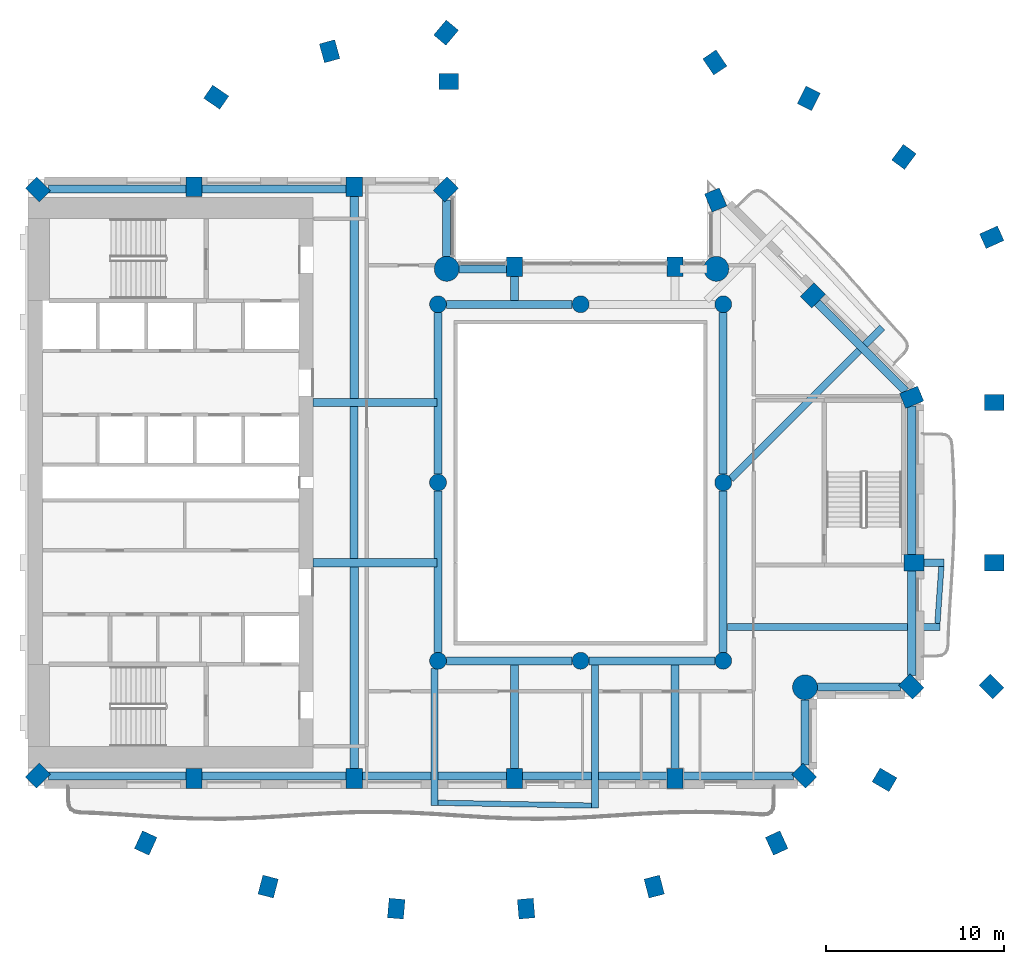
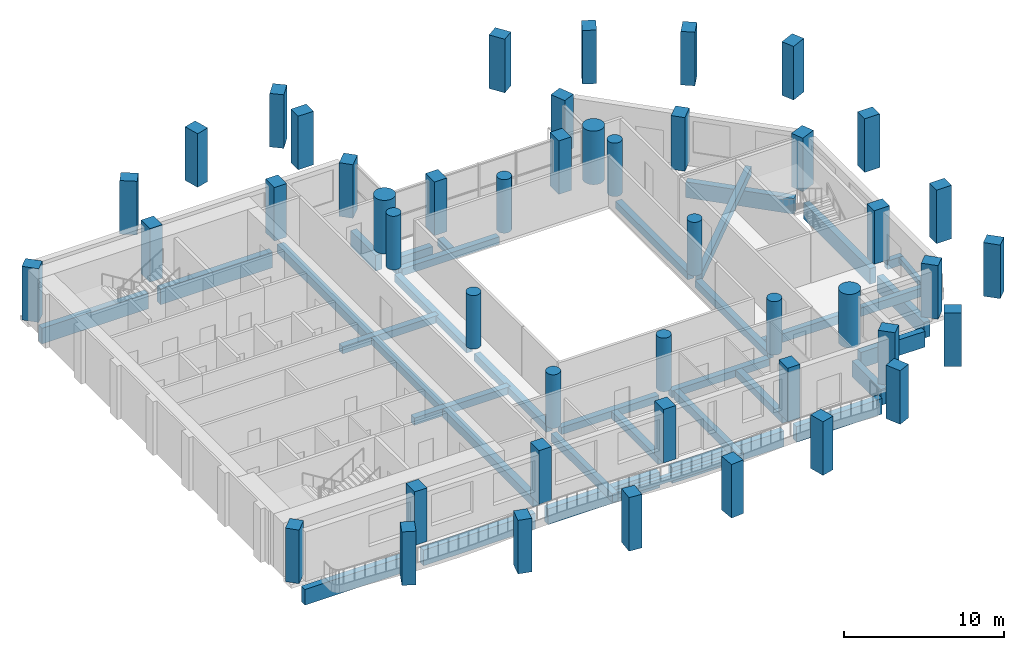
# One storey, part 1 of 13: 46 columns, 36 beams.
"""IFC4 building model written with IfcOpenShell, lengths in metres."""

from ifc_helpers import new_model, si_unit, direction, frame, origin, origin_2d, place, context, subcontext, project, spatial, rectangle, circle, extrude, material, material_profile, profile_set, type_object, element, save


model = new_model("IFC4")

# Units and contexts
model_context = context("Model", 3, precision=1e-05, world=origin(), true_north=direction((0.0, 1.0)))
body_context = subcontext(model_context, "Body", "Model", "MODEL_VIEW")
ifc_project = project(units=[si_unit("LENGTHUNIT", "METRE"), si_unit("AREAUNIT", "SQUARE_METRE"), si_unit("VOLUMEUNIT", "CUBIC_METRE"), si_unit("PLANEANGLEUNIT", "RADIAN"), si_unit("MASSUNIT", "GRAM", prefix="KILO")], contexts=[model_context])

# Site, building, storey
site_placement = place(None, origin())
site = spatial("IfcSite", under=ifc_project, at=site_placement, CompositionType="ELEMENT")
building_placement = place(site_placement, origin())
building = spatial("IfcBuilding", under=site, at=building_placement, Name="Cypress Arch Tower", CompositionType="ELEMENT")
storey_placement = place(building_placement, frame((0.0, 0.0, 209.699951171875)))
storey = spatial("IfcBuildingStorey", under=building, at=storey_placement, Name="L46", CompositionType="ELEMENT", Elevation=209.699951171875)

# Columns
ifc_material_1 = material(Name="Concrete C70/85", Category="concrete")
ifc_material_profile_1 = material_profile(ifc_material_1, rectangle(XDim=0.89990234375, YDim=1.10009765625, at=origin_2d()), Name="RC 900x1100")
ifc_profile_set_1 = profile_set([ifc_material_profile_1], Name="Concrete C70/85")
column_type_1 = type_object("IfcColumnType", Name="Column RC 900x1100 Concrete C70/85", PredefinedType="COLUMN", material=ifc_profile_set_1)
for number, where, z_axis, x_axis, name in (
    (1, (-29.44287109375, 16.44287109375, 0.0), (0.0, 0.0, 1.0), (-0.707106781187, -0.707106781187, 0.0), "Column L46 CB00"),
    (2, (-29.44287109375, -16.44287109375, 0.0), (0.0, 0.0, 1.0), (0.707106781187, -0.707106781187, 0.0), "Column L46 CB01"),
    (3, (-20.699951171875, -16.60009765625, 0.0), (0.0, 0.0, 1.0), (1.0, 0.0, 0.0), "Column L46 CB02"),
    (4, (-11.699951171875, -16.60009765625, 0.0), (0.0, 0.0, 1.0), (1.0, 0.0, 0.0), "Column L46 CB03"),
    (5, (-2.699951171875, -16.60009765625, 0.0), (0.0, 0.0, 1.0), (1.0, 0.0, 0.0), "Column L46 CB04"),
    (6, (6.300048828125, -16.60009765625, 0.0), (0.0, 0.0, 1.0), (1.0, 0.0, 0.0), "Column L46 CB05"),
    (7, (13.54296875, -16.44287109375, 0.0), (0.0, 0.0, 1.0), (0.707106781187, 0.707106781187, 0.0), "Column L46 CB06"),
    (8, (19.54296875, -11.44287109375, 0.0), (0.0, 0.0, 1.0), (0.707106781187, 0.707106781187, 0.0), "Column L46 CB08"),
    (9, (19.699951171875, -4.5, 0.0), (0.0, 0.0, 1.0), (0.0, 1.0, 0.0), "Column L46 CB09"),
    (10, (19.569580078125, 4.7802734375, 0.0), (0.0, 0.0, 1.0), (-0.382683496864, 0.923879505795, 0.0), "Column L46 CB10"),
    (11, (14.029296875, 10.505126953125, 0.0), (0.0, 0.0, 1.0), (-0.707106781187, 0.707106781187, 0.0), "Column L46 CB11"),
    (12, (8.576171875, 15.850341796875, 0.0), (0.0, 0.0, 1.0), (-0.923879672772, -0.382683093746, 0.0), "Column L46 CB12"),
    (13, (6.300048828125, 12.10009765625, 0.0), (0.0, 0.0, 1.0), (-1.0, 0.0, 0.0), "Column L46 CB14"),
    (14, (-2.699951171875, 12.10009765625, 0.0), (0.0, 0.0, 1.0), (-1.0, 0.0, 0.0), "Column L46 CB15"),
    (15, (-6.55712890625, 16.44287109375, 0.0), (0.0, 0.0, 1.0), (-0.707106781187, 0.707106781187, 0.0), "Column L46 CB17"),
    (16, (-11.699951171875, 16.60009765625, 0.0), (0.0, 0.0, 1.0), (-1.0, 0.0, 0.0), "Column L46 CB18"),
    (17, (-20.699951171875, 16.60009765625, 0.0), (0.0, 0.0, 1.0), (-1.0, 0.0, 0.0), "Column L46 CB19"),
    (18, (8.53076171875, 23.564697265625, 0.0), (0.0, 0.0, 1.0), (-0.828469606019, -0.560034027451, 0.0), "Column L46 CQ00"),
    (19, (-6.39990234375, 22.5, 0.0), (0.0, 0.0, 1.0), (0.0, 1.0, 0.0), "Column L46 CQ01"),
    (20, (-6.54833984375, 25.236572265625, 0.0), (0.0, 0.0, 1.0), (-0.766063514674, 0.642764880407, 0.0), "Column L46 CQ02"),
    (21, (-13.081298828125, 24.193359375, 0.0), (0.0, 0.0, 1.0), (-0.96345574646, -0.267867550506, 0.0), "Column L46 CQ03"),
    (22, (-19.44189453125, 21.616943359375, 0.0), (0.0, 0.0, 1.0), (-0.565892599589, -0.824478966215, 0.0), "Column L46 CQ04"),
    (23, (-23.398193359375, -20.221435546875, 0.0), (0.0, 0.0, 1.0), (0.909932071487, -0.414757308891, 0.0), "Column L46 CQ05"),
    (24, (-16.529052734375, -22.666259765625, 0.0), (0.0, 0.0, 1.0), (0.96735573689, -0.2534223319, 0.0), "Column L46 CQ06"),
    (25, (-9.3427734375, -23.903564453125, 0.0), (0.0, 0.0, 1.0), (0.996368206733, -0.085149260784, 0.0), "Column L46 CQ07"),
    (26, (-2.057373046875, -23.903564453125, 0.0), (0.0, 0.0, 1.0), (0.996368206733, 0.085149260784, 0.0), "Column L46 CQ08"),
    (27, (5.12890625, -22.666259765625, 0.0), (0.0, 0.0, 1.0), (0.96735573689, 0.2534223319, 0.0), "Column L46 CQ09"),
    (28, (11.998291015625, -20.221435546875, 0.0), (0.0, 0.0, 1.0), (0.909932071487, 0.414757308891, 0.0), "Column L46 CQ10"),
    (29, (18.048095703125, -16.677490234375, 0.0), (0.0, 0.0, 1.0), (0.504399289829, 0.86347053014, 0.0), "Column L46 CQ11"),
    (30, (24.04296875, -11.44287109375, 0.0), (0.0, 0.0, 1.0), (0.707106781187, 0.707106781187, 0.0), "Column L46 CQ12"),
    (31, (24.199951171875, -4.5, 0.0), (0.0, 0.0, 1.0), (0.0, 1.0, 0.0), "Column L46 CQ13"),
    (32, (24.199951171875, 4.5, 0.0), (0.0, 0.0, 1.0), (0.0, 1.0, 0.0), "Column L46 CQ14"),
    (33, (24.06396484375, 13.75927734375, 0.0), (0.0, 0.0, 1.0), (-0.409765058504, 0.912191096662, 0.0), "Column L46 CQ15"),
    (34, (19.13818359375, 18.267578125, 0.0), (0.0, 0.0, 1.0), (-0.802798546114, 0.596250362144, 0.0), "Column L46 CQ16"),
    (35, (13.80322265625, 21.549072265625, 0.0), (0.0, 0.0, 1.0), (-0.893106499805, 0.44984528452, 0.0), "Column L46 CQ17"),
):
    element("IfcColumn", number, at=place(storey_placement, frame(where, z_axis=z_axis, x_axis=x_axis)), inside=storey, type_object=column_type_1, Name=name, PredefinedType="COLUMN", context=body_context, shape_type="SweptSolid", body=[
        extrude(rectangle(XDim=0.89990234375, YDim=1.10009765625, at=origin_2d()), origin(), (0.0, 0.0, 1.0), 4.10009765625),
    ])
ifc_material_2 = material(Name="Concrete C70/85", Category="concrete")
ifc_material_profile_2 = material_profile(ifc_material_2, circle(Radius=0.47509765625, at=origin_2d()), Name="RC D950")
ifc_profile_set_2 = profile_set([ifc_material_profile_2], Name="Concrete C70/85")
column_type_2 = type_object("IfcColumnType", Name="Column RC D950 Concrete C70/85", PredefinedType="COLUMN", material=ifc_profile_set_2)
for number, where, z_axis, x_axis, name in (
    (36, (-7.0, -10.0, 0.0), (0.0, 0.0, 1.0), (1.0, 0.0, 0.0), "Column L46 RNG-L46-G-7-10"),
    (37, (-7.0, 0.0, 0.0), (0.0, 0.0, 1.0), (1.0, 0.0, 0.0), "Column L46 RNG-L46-G-7+0"),
    (38, (-7.0, 10.0, 0.0), (0.0, 0.0, 1.0), (1.0, 0.0, 0.0), "Column L46 RNG-L46-G-7+10"),
    (39, (1.0, -10.0, 0.0), (0.0, 0.0, 1.0), (1.0, 0.0, 0.0), "Column L46 RNG-L46-G+1-10"),
    (40, (1.0, 10.0, 0.0), (0.0, 0.0, 1.0), (1.0, 0.0, 0.0), "Column L46 RNG-L46-G+1+10"),
    (41, (9.0, -10.0, 0.0), (0.0, 0.0, 1.0), (1.0, 0.0, 0.0), "Column L46 RNG-L46-G+9-10"),
    (42, (9.0, 0.0, 0.0), (0.0, 0.0, 1.0), (1.0, 0.0, 0.0), "Column L46 RNG-L46-G+9+0"),
    (43, (9.0, 10.0, 0.0), (0.0, 0.0, 1.0), (1.0, 0.0, 0.0), "Column L46 RNG-L46-G+9+10"),
):
    element("IfcColumn", number, at=place(storey_placement, frame(where, z_axis=z_axis, x_axis=x_axis)), inside=storey, type_object=column_type_2, Name=name, PredefinedType="COLUMN", context=body_context, shape_type="SweptSolid", body=[
        extrude(circle(Radius=0.47509765625, at=origin_2d()), origin(), (0.0, 0.0, 1.0), 4.10009765625),
    ])
ifc_material_3 = material(Name="Concrete C70/85", Category="concrete")
ifc_material_profile_3 = material_profile(ifc_material_3, circle(Radius=0.699951171875, at=origin_2d()), Name="RC D1400")
ifc_profile_set_3 = profile_set([ifc_material_profile_3], Name="Concrete C70/85")
column_type_3 = type_object("IfcColumnType", Name="Mega-column RC D1400 Concrete C70/85", PredefinedType="COLUMN", material=ifc_profile_set_3)
for number, where, z_axis, x_axis, name in (
    (44, (13.587890625, -11.48779296875, 0.0), (0.0, 0.0, 1.0), (1.0, 0.0, 0.0), "Column L46 CB07"),
    (45, (8.612060546875, 11.98779296875, 0.0), (0.0, 0.0, 1.0), (1.0, 0.0, 0.0), "Column L46 CB13"),
    (46, (-6.51220703125, 11.98779296875, 0.0), (0.0, 0.0, 1.0), (1.0, 0.0, 0.0), "Column L46 CB16"),
):
    element("IfcColumn", number, at=place(storey_placement, frame(where, z_axis=z_axis, x_axis=x_axis)), inside=storey, type_object=column_type_3, Name=name, PredefinedType="COLUMN", context=body_context, shape_type="SweptSolid", body=[
        extrude(circle(Radius=0.699951171875, at=origin_2d()), origin(), (0.0, 0.0, 1.0), 4.10009765625),
    ])

# Beams
ifc_material_4 = material(Name="Concrete C50/60", Category="concrete")
ifc_material_profile_4 = material_profile(ifc_material_4, rectangle(XDim=0.300048828125, YDim=0.39990234375, at=origin_2d()), Name="RC 300x400")
ifc_profile_set_4 = profile_set([ifc_material_profile_4], Name="Concrete C50/60")
beam_type_1 = type_object("IfcBeamType", Name="Balcony edge beam RC 300x400 Concrete C50/60", PredefinedType="BEAM", material=ifc_profile_set_4)
beam_1_placement = place(storey_placement, frame((21.01611328125, -7.89990234375, -0.5), z_axis=(0.069413309259, 0.997587987346, 0.0), x_axis=(-0.997587987346, 0.069413309259, 0.0)))
element("IfcBeam", 47, at=beam_1_placement, inside=storey, type_object=beam_type_1, Name="Balcony edge beam L46 B04", PredefinedType="BEAM", context=body_context, shape_type="SweptSolid", body=[
    extrude(rectangle(XDim=0.300048828125, YDim=0.39990234375, at=origin_2d()), origin(), (0.0, 0.0, 1.0), 3.207763671875),
])
ifc_material_5 = material(Name="Concrete C50/60", Category="concrete")
ifc_material_profile_5 = material_profile(ifc_material_5, rectangle(XDim=0.300048828125, YDim=0.449951171875, at=origin_2d()), Name="RC 300x450")
ifc_profile_set_5 = profile_set([ifc_material_profile_5], Name="Concrete C50/60")
beam_type_2 = type_object("IfcBeamType", Name="Balcony edge beam RC 300x450 Concrete C50/60", PredefinedType="BEAM", material=ifc_profile_set_5)
beam_2_placement = place(storey_placement, frame((-7.0, -17.96484375, -0.52490234375), z_axis=(0.999834479586, -0.018193774525, 0.0), x_axis=(0.018193774525, 0.999834479586, 0.0)))
element("IfcBeam", 48, at=beam_2_placement, inside=storey, type_object=beam_type_2, Name="Balcony edge beam L46 B01", PredefinedType="BEAM", context=body_context, shape_type="SweptSolid", body=[
    extrude(rectangle(XDim=0.300048828125, YDim=0.449951171875, at=origin_2d()), origin(), (0.0, 0.0, 1.0), 8.6015625),
])
ifc_material_6 = material(Name="Concrete C50/60", Category="concrete")
ifc_material_profile_6 = material_profile(ifc_material_6, rectangle(XDim=0.39990234375, YDim=0.64990234375, at=origin_2d()), Name="RC 400x650")
ifc_profile_set_6 = profile_set([ifc_material_profile_6], Name="Concrete C50/60")
beam_type_3 = type_object("IfcBeamType", Name="Cantilever beam RC 400x650 Concrete C50/60", PredefinedType="BEAM", material=ifc_profile_set_6)
beam_3_placement = place(storey_placement, frame((-7.199951171875, -10.4306640625, -0.625), z_axis=(0.0, -1.0, 0.0), x_axis=(1.0, 0.0, 0.0)))
element("IfcBeam", 49, at=beam_3_placement, inside=storey, type_object=beam_type_3, Name="Cantilever beam L46 B01 1", PredefinedType="BEAM", context=body_context, shape_type="SweptSolid", body=[
    extrude(rectangle(XDim=0.39990234375, YDim=0.64990234375, at=origin_2d()), origin(), (0.0, 0.0, 1.0), 7.684326171875),
])
beam_4_placement = place(storey_placement, frame((1.800048828125, -10.22509765625, -0.625), z_axis=(0.0, -1.0, 0.0), x_axis=(1.0, 0.0, 0.0)))
element("IfcBeam", 50, at=beam_4_placement, inside=storey, type_object=beam_type_3, Name="Cantilever beam L46 B01 2", PredefinedType="BEAM", context=body_context, shape_type="SweptSolid", body=[
    extrude(rectangle(XDim=0.39990234375, YDim=0.64990234375, at=origin_2d()), origin(), (0.0, 0.0, 1.0), 8.04638671875),
])
beam_5_placement = place(storey_placement, frame((9.22509765625, -8.10009765625, -0.625), z_axis=(1.0, 0.0, 0.0), x_axis=(0.0, 1.0, 0.0)))
element("IfcBeam", 51, at=beam_5_placement, inside=storey, type_object=beam_type_3, Name="Cantilever beam L46 B04 1", PredefinedType="BEAM", context=body_context, shape_type="SweptSolid", body=[
    extrude(rectangle(XDim=0.39990234375, YDim=0.64990234375, at=origin_2d()), origin(), (0.0, 0.0, 1.0), 11.94091796875),
])
beam_6_placement = place(storey_placement, frame((20.25, -4.5, -0.625), z_axis=(1.0, 0.0, 0.0), x_axis=(0.0, 1.0, 0.0)))
element("IfcBeam", 52, at=beam_6_placement, inside=storey, type_object=beam_type_3, Name="Cantilever beam L46 B04 2", PredefinedType="BEAM", context=body_context, shape_type="SweptSolid", body=[
    extrude(rectangle(XDim=0.39990234375, YDim=0.64990234375, at=origin_2d()), origin(), (0.0, 0.0, 1.0), 1.138916015625),
])
beam_7_placement = place(storey_placement, frame((9.4287109375, 0.204345703125, -0.625), z_axis=(0.707096623139, 0.707116939088, 0.0), x_axis=(-0.707116939088, 0.707096623139, 0.0)))
element("IfcBeam", 53, at=beam_7_placement, inside=storey, type_object=beam_type_3, Name="Cantilever beam L46 B05 1", PredefinedType="BEAM", context=body_context, shape_type="SweptSolid", body=[
    extrude(rectangle(XDim=0.39990234375, YDim=0.64990234375, at=origin_2d()), origin(), (0.0, 0.0, 1.0), 12.01708984375),
])
ifc_material_7 = material(Name="Concrete C50/60", Category="concrete")
ifc_material_profile_7 = material_profile(ifc_material_7, rectangle(XDim=0.449951171875, YDim=0.550048828125, at=origin_2d()), Name="RC 450x550")
ifc_profile_set_7 = profile_set([ifc_material_profile_7], Name="Concrete C50/60")
beam_type_4 = type_object("IfcBeamType", Name="Floor beam RC 450x550 Concrete C50/60", PredefinedType="BEAM", material=ifc_profile_set_7)
for number, where, z_axis, x_axis, name in (
    (54, (-7.0, -9.52490234375, -0.574951171875), (0.0, 1.0, 0.0), (-1.0, 0.0, 0.0), "Floor beam L46 RB001"),
    (55, (-7.0, 0.47509765625, -0.574951171875), (0.0, 1.0, 0.0), (-1.0, 0.0, 0.0), "Floor beam L46 RB002"),
    (56, (9.0, -9.52490234375, -0.574951171875), (0.0, 1.0, 0.0), (-1.0, 0.0, 0.0), "Floor beam L46 RB003"),
    (57, (9.0, 0.47509765625, -0.574951171875), (0.0, 1.0, 0.0), (-1.0, 0.0, 0.0), "Floor beam L46 RB004"),
):
    element("IfcBeam", number, at=place(storey_placement, frame(where, z_axis=z_axis, x_axis=x_axis)), inside=storey, type_object=beam_type_4, Name=name, PredefinedType="BEAM", context=body_context, shape_type="SweptSolid", body=[
        extrude(rectangle(XDim=0.449951171875, YDim=0.550048828125, at=origin_2d()), origin(), (0.0, 0.0, 1.0), 9.0498046875),
    ])
for number, where, z_axis, x_axis, name in (
    (58, (-6.52490234375, -10.0, -0.574951171875), (1.0, 0.0, 0.0), (0.0, 1.0, 0.0), "Floor beam L46 RB005"),
    (59, (1.47509765625, -10.0, -0.574951171875), (1.0, 0.0, 0.0), (0.0, 1.0, 0.0), "Floor beam L46 RB006"),
    (60, (-6.52490234375, 10.0, -0.574951171875), (1.0, 0.0, 0.0), (0.0, 1.0, 0.0), "Floor beam L46 RB007"),
):
    element("IfcBeam", number, at=place(storey_placement, frame(where, z_axis=z_axis, x_axis=x_axis)), inside=storey, type_object=beam_type_4, Name=name, PredefinedType="BEAM", context=body_context, shape_type="SweptSolid", body=[
        extrude(rectangle(XDim=0.449951171875, YDim=0.550048828125, at=origin_2d()), origin(), (0.0, 0.0, 1.0), 7.0498046875),
    ])
for number, where, z_axis, x_axis, name in (
    (61, (-14.0, -4.5, -0.574951171875), (1.0, 0.0, 0.0), (0.0, 1.0, 0.0), "Floor beam L46 FB009"),
    (62, (-14.0, 4.5, -0.574951171875), (1.0, 0.0, 0.0), (0.0, 1.0, 0.0), "Floor beam L46 FB010"),
):
    element("IfcBeam", number, at=place(storey_placement, frame(where, z_axis=z_axis, x_axis=x_axis)), inside=storey, type_object=beam_type_4, Name=name, PredefinedType="BEAM", context=body_context, shape_type="SweptSolid", body=[
        extrude(rectangle(XDim=0.449951171875, YDim=0.550048828125, at=origin_2d()), origin(), (0.0, 0.0, 1.0), 6.949951171875),
    ])
beam_8_placement = place(storey_placement, frame((-11.699951171875, -4.27490234375, -0.574951171875), z_axis=(0.0, 1.0, 0.0), x_axis=(-1.0, 0.0, 0.0)))
element("IfcBeam", 63, at=beam_8_placement, inside=storey, type_object=beam_type_4, Name="Floor beam L46 FB012", PredefinedType="BEAM", context=body_context, shape_type="SweptSolid", body=[
    extrude(rectangle(XDim=0.449951171875, YDim=0.550048828125, at=origin_2d()), origin(), (0.0, 0.0, 1.0), 8.5498046875),
])
beam_9_placement = place(storey_placement, frame((-2.699951171875, -16.050048828125, -0.574951171875), z_axis=(0.0, 1.0, 0.0), x_axis=(-1.0, 0.0, 0.0)))
element("IfcBeam", 64, at=beam_9_placement, inside=storey, type_object=beam_type_4, Name="Floor beam L46 FB014", PredefinedType="BEAM", context=body_context, shape_type="SweptSolid", body=[
    extrude(rectangle(XDim=0.449951171875, YDim=0.550048828125, at=origin_2d()), origin(), (0.0, 0.0, 1.0), 5.824951171875),
])
beam_10_placement = place(storey_placement, frame((-2.699951171875, 10.22509765625, -0.574951171875), z_axis=(0.0, 1.0, 0.0), x_axis=(-1.0, 0.0, 0.0)))
element("IfcBeam", 65, at=beam_10_placement, inside=storey, type_object=beam_type_4, Name="Floor beam L46 FB015", PredefinedType="BEAM", context=body_context, shape_type="SweptSolid", body=[
    extrude(rectangle(XDim=0.449951171875, YDim=0.550048828125, at=origin_2d()), origin(), (0.0, 0.0, 1.0), 1.324951171875),
])
beam_11_placement = place(storey_placement, frame((6.300048828125, -16.050048828125, -0.574951171875), z_axis=(0.0, 1.0, 0.0), x_axis=(-1.0, 0.0, 0.0)))
element("IfcBeam", 66, at=beam_11_placement, inside=storey, type_object=beam_type_4, Name="Floor beam L46 FB016", PredefinedType="BEAM", context=body_context, shape_type="SweptSolid", body=[
    extrude(rectangle(XDim=0.449951171875, YDim=0.550048828125, at=origin_2d()), origin(), (0.0, 0.0, 1.0), 5.824951171875),
])
ifc_material_8 = material(Name="Concrete C50/60", Category="concrete")
ifc_material_profile_8 = material_profile(ifc_material_8, rectangle(XDim=0.5, YDim=0.64990234375, at=origin_2d()), Name="RC 500x650")
ifc_profile_set_8 = profile_set([ifc_material_profile_8], Name="Concrete C50/60")
beam_type_5 = type_object("IfcBeamType", Name="Floor beam RC 500x650 Concrete C50/60", PredefinedType="BEAM", material=ifc_profile_set_8)
for number, where, z_axis, x_axis, name in (
    (67, (-11.699951171875, -16.050048828125, -0.625), (0.0, 1.0, 0.0), (-1.0, 0.0, 0.0), "Floor beam L46 FB011"),
    (68, (-11.699951171875, 4.72509765625, -0.625), (0.0, 1.0, 0.0), (-1.0, 0.0, 0.0), "Floor beam L46 FB013"),
):
    element("IfcBeam", number, at=place(storey_placement, frame(where, z_axis=z_axis, x_axis=x_axis)), inside=storey, type_object=beam_type_5, Name=name, PredefinedType="BEAM", context=body_context, shape_type="SweptSolid", body=[
        extrude(rectangle(XDim=0.5, YDim=0.64990234375, at=origin_2d()), origin(), (0.0, 0.0, 1.0), 11.324951171875),
    ])
ifc_material_9 = material(Name="Concrete C50/60", Category="concrete")
ifc_material_profile_9 = material_profile(ifc_material_9, rectangle(XDim=0.449951171875, YDim=1.199951171875, at=origin_2d()), Name="RC 450x1200")
ifc_profile_set_9 = profile_set([ifc_material_profile_9], Name="Concrete C50/60")
beam_type_6 = type_object("IfcBeamType", Name="Spandrel beam RC 450x1200 Concrete C50/60", PredefinedType="SPANDREL", material=ifc_profile_set_9)
beam_12_placement = place(storey_placement, frame((-28.838623046875, -16.47509765625, -1.550048828125), z_axis=(1.0, 0.0, 0.0), x_axis=(0.0, 1.0, 0.0)))
element("IfcBeam", 69, at=beam_12_placement, inside=storey, type_object=beam_type_6, Name="Spandrel beam L46 BB01-0", PredefinedType="SPANDREL", context=body_context, shape_type="SweptSolid", body=[
    extrude(rectangle(XDim=0.449951171875, YDim=1.199951171875, at=origin_2d()), origin(), (0.0, 0.0, 1.0), 7.688720703125),
])
for number, where, z_axis, x_axis, name in (
    (70, (-20.25, -16.47509765625, -1.550048828125), (1.0, 0.0, 0.0), (0.0, 1.0, 0.0), "Spandrel beam L46 BB01-1"),
    (71, (-11.25, -16.47509765625, -1.550048828125), (1.0, 0.0, 0.0), (0.0, 1.0, 0.0), "Spandrel beam L46 BB01-2"),
    (72, (-2.25, -16.47509765625, -1.550048828125), (1.0, 0.0, 0.0), (0.0, 1.0, 0.0), "Spandrel beam L46 BB01-3"),
):
    element("IfcBeam", number, at=place(storey_placement, frame(where, z_axis=z_axis, x_axis=x_axis)), inside=storey, type_object=beam_type_6, Name=name, PredefinedType="SPANDREL", context=body_context, shape_type="SweptSolid", body=[
        extrude(rectangle(XDim=0.449951171875, YDim=1.199951171875, at=origin_2d()), origin(), (0.0, 0.0, 1.0), 8.10009765625),
    ])
beam_13_placement = place(storey_placement, frame((6.75, -16.47509765625, -1.550048828125), z_axis=(1.0, 0.0, 0.0), x_axis=(0.0, 1.0, 0.0)))
element("IfcBeam", 73, at=beam_13_placement, inside=storey, type_object=beam_type_6, Name="Spandrel beam L46 BB01-4", PredefinedType="SPANDREL", context=body_context, shape_type="SweptSolid", body=[
    extrude(rectangle(XDim=0.449951171875, YDim=1.199951171875, at=origin_2d()), origin(), (0.0, 0.0, 1.0), 6.188720703125),
])
beam_14_placement = place(storey_placement, frame((13.574951171875, -15.838623046875, -1.550048828125), z_axis=(0.0, 1.0, 0.0), x_axis=(-1.0, 0.0, 0.0)))
element("IfcBeam", 74, at=beam_14_placement, inside=storey, type_object=beam_type_6, Name="Spandrel beam L46 BB02-0", PredefinedType="SPANDREL", context=body_context, shape_type="SweptSolid", body=[
    extrude(rectangle(XDim=0.449951171875, YDim=1.199951171875, at=origin_2d()), origin(), (0.0, 0.0, 1.0), 3.651123046875),
])
beam_15_placement = place(storey_placement, frame((14.28759765625, -11.47509765625, -1.550048828125), z_axis=(1.0, 0.0, 0.0), x_axis=(0.0, 1.0, 0.0)))
element("IfcBeam", 75, at=beam_15_placement, inside=storey, type_object=beam_type_6, Name="Spandrel beam L46 BB03-0", PredefinedType="SPANDREL", context=body_context, shape_type="SweptSolid", body=[
    extrude(rectangle(XDim=0.449951171875, YDim=1.199951171875, at=origin_2d()), origin(), (0.0, 0.0, 1.0), 4.651123046875),
])
beam_16_placement = place(storey_placement, frame((19.574951171875, -10.838623046875, -1.550048828125), z_axis=(0.0, 1.0, 0.0), x_axis=(-1.0, 0.0, 0.0)))
element("IfcBeam", 76, at=beam_16_placement, inside=storey, type_object=beam_type_6, Name="Spandrel beam L46 BB04-0", PredefinedType="SPANDREL", context=body_context, shape_type="SweptSolid", body=[
    extrude(rectangle(XDim=0.449951171875, YDim=1.199951171875, at=origin_2d()), origin(), (0.0, 0.0, 1.0), 5.888671875),
])
beam_17_placement = place(storey_placement, frame((19.574951171875, -4.050048828125, -1.550048828125), z_axis=(0.0, 1.0, 0.0), x_axis=(-1.0, 0.0, 0.0)))
element("IfcBeam", 77, at=beam_17_placement, inside=storey, type_object=beam_type_6, Name="Spandrel beam L46 BB04-1", PredefinedType="SPANDREL", context=body_context, shape_type="SweptSolid", body=[
    extrude(rectangle(XDim=0.449951171875, YDim=1.199951171875, at=origin_2d()), origin(), (0.0, 0.0, 1.0), 8.345458984375),
])
beam_18_placement = place(storey_placement, frame((19.23046875, 5.126953125, -1.550048828125), z_axis=(-0.707106781187, 0.707106781187, 0.0), x_axis=(-0.707106781187, -0.707106781187, 0.0)))
element("IfcBeam", 78, at=beam_18_placement, inside=storey, type_object=beam_type_6, Name="Spandrel beam L46 BB05-0", PredefinedType="SPANDREL", context=body_context, shape_type="SweptSolid", body=[
    extrude(rectangle(XDim=0.449951171875, YDim=1.199951171875, at=origin_2d()), origin(), (0.0, 0.0, 1.0), 7.03076171875),
])
beam_19_placement = place(storey_placement, frame((-3.14990234375, 11.97509765625, -1.550048828125), z_axis=(-1.0, 0.0, 0.0), x_axis=(0.0, -1.0, 0.0)))
element("IfcBeam", 79, at=beam_19_placement, inside=storey, type_object=beam_type_6, Name="Spandrel beam L46 BB07-2", PredefinedType="SPANDREL", context=body_context, shape_type="SweptSolid", body=[
    extrude(rectangle(XDim=0.449951171875, YDim=1.199951171875, at=origin_2d()), origin(), (0.0, 0.0, 1.0), 2.66259765625),
])
beam_20_placement = place(storey_placement, frame((-6.52490234375, 12.6875, -1.550048828125), z_axis=(0.0, 1.0, 0.0), x_axis=(-1.0, 0.0, 0.0)))
element("IfcBeam", 80, at=beam_20_placement, inside=storey, type_object=beam_type_6, Name="Spandrel beam L46 BB08-0", PredefinedType="SPANDREL", context=body_context, shape_type="SweptSolid", body=[
    extrude(rectangle(XDim=0.449951171875, YDim=1.199951171875, at=origin_2d()), origin(), (0.0, 0.0, 1.0), 3.151123046875),
])
beam_21_placement = place(storey_placement, frame((-12.14990234375, 16.47509765625, -1.550048828125), z_axis=(-1.0, 0.0, 0.0), x_axis=(0.0, -1.0, 0.0)))
element("IfcBeam", 81, at=beam_21_placement, inside=storey, type_object=beam_type_6, Name="Spandrel beam L46 BB09-1", PredefinedType="SPANDREL", context=body_context, shape_type="SweptSolid", body=[
    extrude(rectangle(XDim=0.449951171875, YDim=1.199951171875, at=origin_2d()), origin(), (0.0, 0.0, 1.0), 8.10009765625),
])
beam_22_placement = place(storey_placement, frame((-21.14990234375, 16.47509765625, -1.550048828125), z_axis=(-1.0, 0.0, 0.0), x_axis=(0.0, -1.0, 0.0)))
element("IfcBeam", 82, at=beam_22_placement, inside=storey, type_object=beam_type_6, Name="Spandrel beam L46 BB09-2", PredefinedType="SPANDREL", context=body_context, shape_type="SweptSolid", body=[
    extrude(rectangle(XDim=0.449951171875, YDim=1.199951171875, at=origin_2d()), origin(), (0.0, 0.0, 1.0), 7.688720703125),
])

save(model, "model.ifc")
